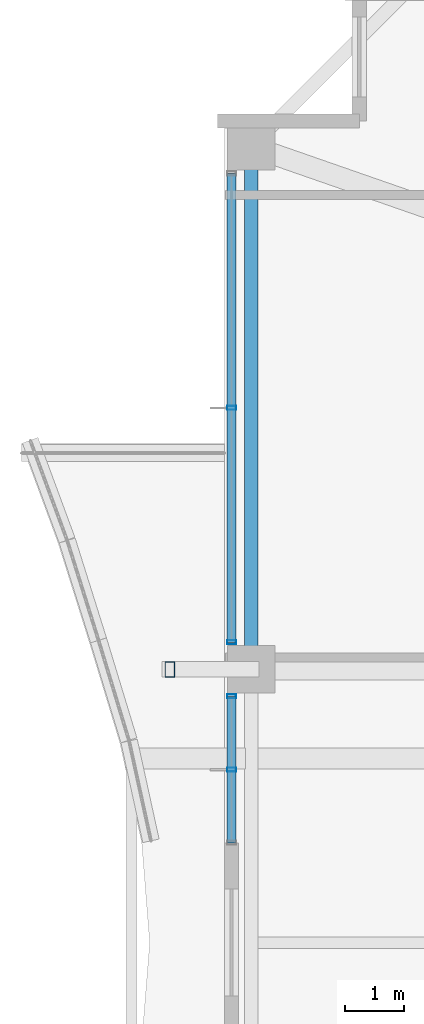
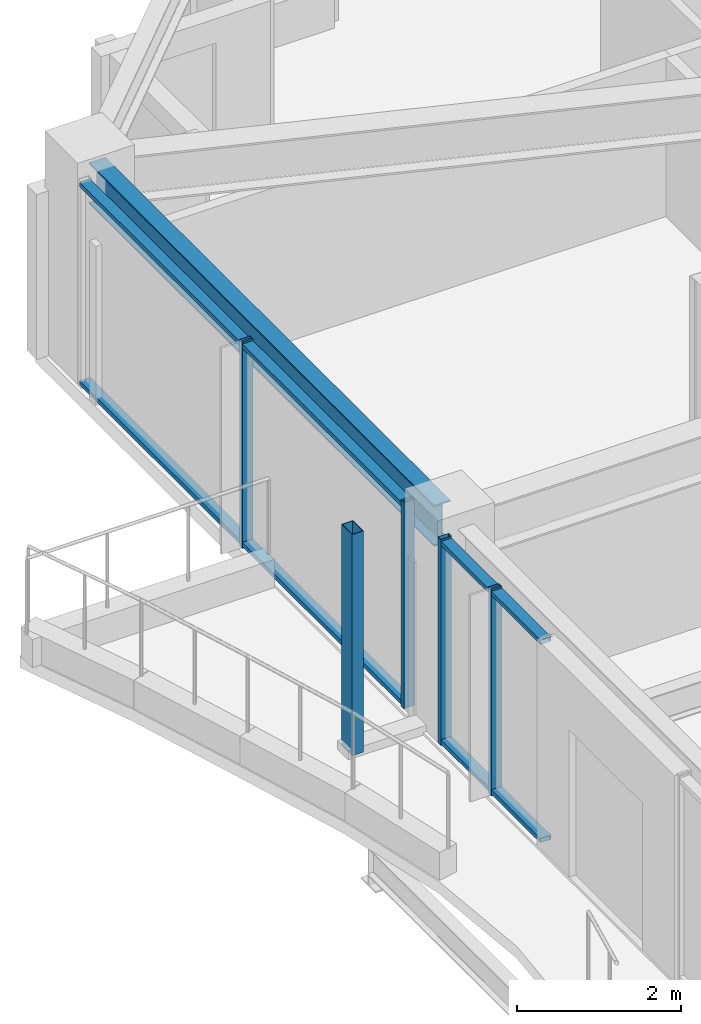
# One storey, part 8 of 35: 9 members, 1 beam, 2 elements without a shape of their own.
"""IFC4 building model written with IfcOpenShell, lengths in metres."""

from ifc_helpers import new_model, si_unit, direction, frame, origin, origin_2d, place, context, subcontext, project, spatial, hollow_rectangle, i_section, extrude, material, material_profile, profile_set, type_object, element, aggregate, save


model = new_model("IFC4")

# Units and contexts
model_context = context("Model", 3, precision=1e-05, world=origin(), true_north=direction((0.0, 1.0)))
body_context = subcontext(model_context, "Body", "Model", "MODEL_VIEW")
ifc_project = project(units=[si_unit("LENGTHUNIT", "METRE"), si_unit("AREAUNIT", "SQUARE_METRE"), si_unit("VOLUMEUNIT", "CUBIC_METRE"), si_unit("PLANEANGLEUNIT", "RADIAN"), si_unit("MASSUNIT", "GRAM", prefix="KILO")], contexts=[model_context])

# Site, building, storey
site_placement = place(None, origin())
site = spatial("IfcSite", under=ifc_project, at=site_placement, CompositionType="ELEMENT")
building_placement = place(site_placement, origin())
building = spatial("IfcBuilding", under=site, at=building_placement, Name="Kolvaren Belvedere", CompositionType="ELEMENT")
storey_placement = place(building_placement, frame((0.0, 0.0, 216.300048828125)))
storey = spatial("IfcBuildingStorey", under=building, at=storey_placement, Name="L63", CompositionType="ELEMENT", Elevation=216.300048828125)

# Beam
ifc_material_1 = material(Name="Structural steel ASTM A992 Grade 50", Category="steel")
ifc_material_profile_1 = material_profile(ifc_material_1, i_section(OverallWidth=0.22900390625, OverallDepth=0.612060546875, WebThickness=0.011962890625, FlangeThickness=0.01953125, FilletRadius=0.01806640625, at=origin_2d()), Name="W24X84")
ifc_profile_set_1 = profile_set([ifc_material_profile_1], Name="Structural steel ASTM A992 Grade 50")
beam_type = type_object("IfcBeamType", Name="BM-SPAN-W24X84", PredefinedType="SPANDREL", material=ifc_profile_set_1)
beam_placement = place(storey_placement, frame((-19.949951171875, 13.219970703125, 2.77392578125), z_axis=(0.0, -1.0, 0.0), x_axis=(1.0, 0.0, 0.0)))
element("IfcBeam", 1, at=beam_placement, inside=storey, type_object=beam_type, Name="L63 Perimeter Spandrel W4-W3", PredefinedType="SPANDREL", context=body_context, shape_type="SweptSolid", body=[
    extrude(i_section(OverallWidth=0.22900390625, OverallDepth=0.612060546875, WebThickness=0.011962890625, FlangeThickness=0.01953125, FilletRadius=0.01806640625, at=origin_2d()), origin(), (0.0, 0.0, 1.0), 8.43994140625),
])

# Curtain wall, members
ifc_material_2 = material(Name="Anodised pale-metal aluminium AA 6063-T6", Category="aluminium")
curtain_wall_type = type_object("IfcCurtainWallType", Name="CW-Z5-HIGH", PredefinedType="NOTDEFINED", material=ifc_material_2)
curtain_wall_1_placement = place(storey_placement, origin())
curtain_wall_1 = element("IfcCurtainWall", 2, at=curtain_wall_1_placement, inside=storey, type_object=curtain_wall_type, Name="L63 Unitised Curtain Wall FCW-L63-W2-B1", PredefinedType="NOTDEFINED")
ifc_material_3 = material(Name="Anodised pale-metal aluminium AA 6063-T6", Category="aluminium")
ifc_material_profile_2 = material_profile(ifc_material_3, hollow_rectangle(XDim=0.070068359375, YDim=0.14990234375, WallThickness=0.004150390625, at=origin_2d()), Name="ALU-MUL-150X70")
ifc_profile_set_2 = profile_set([ifc_material_profile_2], Name="Anodised pale-metal aluminium AA 6063-T6")
member_type_1 = type_object("IfcMemberType", Name="CW-MUL-150", PredefinedType="MULLION", material=ifc_profile_set_2)
member_1_placement = place(storey_placement, frame((-20.280029296875, 2.91259765625, 0.0), z_axis=(0.0, 0.0, 1.0), x_axis=(0.0, 1.0, 0.0)))
member_1 = element("IfcMember", 3, at=member_1_placement, type_object=member_type_1, Name="FCW-L63-W2-B1 Unitised Mullion 2", PredefinedType="MULLION", context=body_context, shape_type="SweptSolid", body=[
    extrude(hollow_rectangle(XDim=0.070068359375, YDim=0.14990234375, WallThickness=0.004150390625, at=origin_2d()), origin(), (0.0, 0.0, 1.0), 3.079833984375),
])
member_2_placement = place(storey_placement, frame((-20.280029296875, 4.14501953125, 0.0), z_axis=(0.0, 0.0, 1.0), x_axis=(0.0, 1.0, 0.0)))
member_2 = element("IfcMember", 4, at=member_2_placement, type_object=member_type_1, Name="FCW-L63-W2-B1 Unitised Mullion 3", PredefinedType="MULLION", context=body_context, shape_type="SweptSolid", body=[
    extrude(hollow_rectangle(XDim=0.070068359375, YDim=0.14990234375, WallThickness=0.004150390625, at=origin_2d()), origin(), (0.0, 0.0, 1.0), 3.079833984375),
])

curtain_wall_2_placement = place(storey_placement, origin())
curtain_wall_2 = element("IfcCurtainWall", 5, at=curtain_wall_2_placement, inside=storey, type_object=curtain_wall_type, Name="L63 Unitised Curtain Wall FCW-L63-W2-B2", PredefinedType="NOTDEFINED")
member_3_placement = place(storey_placement, frame((-20.280029296875, 5.054931640625, 0.0), z_axis=(0.0, 0.0, 1.0), x_axis=(0.0, 1.0, 0.0)))
member_3 = element("IfcMember", 6, at=member_3_placement, type_object=member_type_1, Name="FCW-L63-W2-B2 Unitised Mullion 1", PredefinedType="MULLION", context=body_context, shape_type="SweptSolid", body=[
    extrude(hollow_rectangle(XDim=0.070068359375, YDim=0.14990234375, WallThickness=0.004150390625, at=origin_2d()), origin(), (0.0, 0.0, 1.0), 3.079833984375),
])
member_4_placement = place(storey_placement, frame((-20.280029296875, 9.0, 0.0), z_axis=(0.0, 0.0, 1.0), x_axis=(0.0, 1.0, 0.0)))
member_4 = element("IfcMember", 7, at=member_4_placement, type_object=member_type_1, Name="FCW-L63-W2-B2 Unitised Mullion 2", PredefinedType="MULLION", context=body_context, shape_type="SweptSolid", body=[
    extrude(hollow_rectangle(XDim=0.070068359375, YDim=0.14990234375, WallThickness=0.004150390625, at=origin_2d()), origin(), (0.0, 0.0, 1.0), 3.079833984375),
])

# Member
ifc_material_4 = material(Name="Anodised pale-metal aluminium AA 6063-T6", Category="aluminium")
ifc_material_profile_3 = material_profile(ifc_material_4, hollow_rectangle(XDim=0.06494140625, YDim=0.14990234375, WallThickness=0.00390625, at=origin_2d()), Name="ALU-TRN-150X65")
ifc_profile_set_3 = profile_set([ifc_material_profile_3], Name="Anodised pale-metal aluminium AA 6063-T6")
member_type_2 = type_object("IfcMemberType", Name="CW-TRN-150", PredefinedType="USERDEFINED", material=ifc_profile_set_3)
member_5_placement = place(storey_placement, frame((-20.280029296875, 1.679931640625, 0.06005859375), z_axis=(0.0, 1.0, 0.0), x_axis=(0.0, 0.0, 1.0)))
member_5 = element("IfcMember", 8, at=member_5_placement, type_object=member_type_2, Name="FCW-L63-W2-B1 Sill Transom", ObjectType="TRANSOM", PredefinedType="USERDEFINED", context=body_context, shape_type="SweptSolid", body=[
    extrude(hollow_rectangle(XDim=0.06494140625, YDim=0.14990234375, WallThickness=0.00390625, at=origin_2d()), origin(), (0.0, 0.0, 1.0), 2.465087890625),
])

member_6_placement = place(storey_placement, frame((-20.280029296875, 1.679931640625, 3.02001953125), z_axis=(0.0, 1.0, 0.0), x_axis=(0.0, 0.0, 1.0)))
member_6 = element("IfcMember", 9, at=member_6_placement, type_object=member_type_2, Name="FCW-L63-W2-B1 Head Transom", ObjectType="TRANSOM", PredefinedType="USERDEFINED", context=body_context, shape_type="SweptSolid", body=[
    extrude(hollow_rectangle(XDim=0.06494140625, YDim=0.14990234375, WallThickness=0.00390625, at=origin_2d()), origin(), (0.0, 0.0, 1.0), 2.465087890625),
])

aggregate(curtain_wall_1, [member_1, member_2, member_5, member_6])

member_7_placement = place(storey_placement, frame((-20.280029296875, 5.054931640625, 0.06005859375), z_axis=(0.0, 1.0, 0.0), x_axis=(0.0, 0.0, 1.0)))
member_7 = element("IfcMember", 10, at=member_7_placement, type_object=member_type_2, Name="FCW-L63-W2-B2 Sill Transom", ObjectType="TRANSOM", PredefinedType="USERDEFINED", context=body_context, shape_type="SweptSolid", body=[
    extrude(hollow_rectangle(XDim=0.06494140625, YDim=0.14990234375, WallThickness=0.00390625, at=origin_2d()), origin(), (0.0, 0.0, 1.0), 7.89013671875),
])

member_8_placement = place(storey_placement, frame((-20.280029296875, 5.054931640625, 3.02001953125), z_axis=(0.0, 1.0, 0.0), x_axis=(0.0, 0.0, 1.0)))
member_8 = element("IfcMember", 11, at=member_8_placement, type_object=member_type_2, Name="FCW-L63-W2-B2 Head Transom", ObjectType="TRANSOM", PredefinedType="USERDEFINED", context=body_context, shape_type="SweptSolid", body=[
    extrude(hollow_rectangle(XDim=0.06494140625, YDim=0.14990234375, WallThickness=0.00390625, at=origin_2d()), origin(), (0.0, 0.0, 1.0), 7.89013671875),
])

aggregate(curtain_wall_2, [member_3, member_4, member_7, member_8])

ifc_material_5 = material(Name="Anodised pale-metal aluminium AA 6063-T6", Category="aluminium")
ifc_material_profile_4 = material_profile(ifc_material_5, hollow_rectangle(XDim=0.159912109375, YDim=0.260009765625, WallThickness=0.006591796875, at=origin_2d()), Name="ALU-PF-260X160")
ifc_profile_set_4 = profile_set([ifc_material_profile_4], Name="Anodised pale-metal aluminium AA 6063-T6")
member_type_3 = type_object("IfcMemberType", Name="PF-FRAME-260", PredefinedType="USERDEFINED", material=ifc_profile_set_4)
member_9_placement = place(storey_placement, frame((-21.320068359375, 4.60009765625, 0.0), z_axis=(0.0, 0.0, 1.0), x_axis=(1.0, 0.0, 0.0)))
element("IfcMember", 12, at=member_9_placement, inside=storey, type_object=member_type_3, Name="L63 Outboard Picture-Frame Vertical W2", ObjectType="PICTURE FRAME FIN", PredefinedType="USERDEFINED", context=body_context, shape_type="SweptSolid", body=[
    extrude(hollow_rectangle(XDim=0.159912109375, YDim=0.260009765625, WallThickness=0.006591796875, at=origin_2d()), origin(), (0.0, 0.0, 1.0), 3.300048828125),
])

save(model, "model.ifc")
